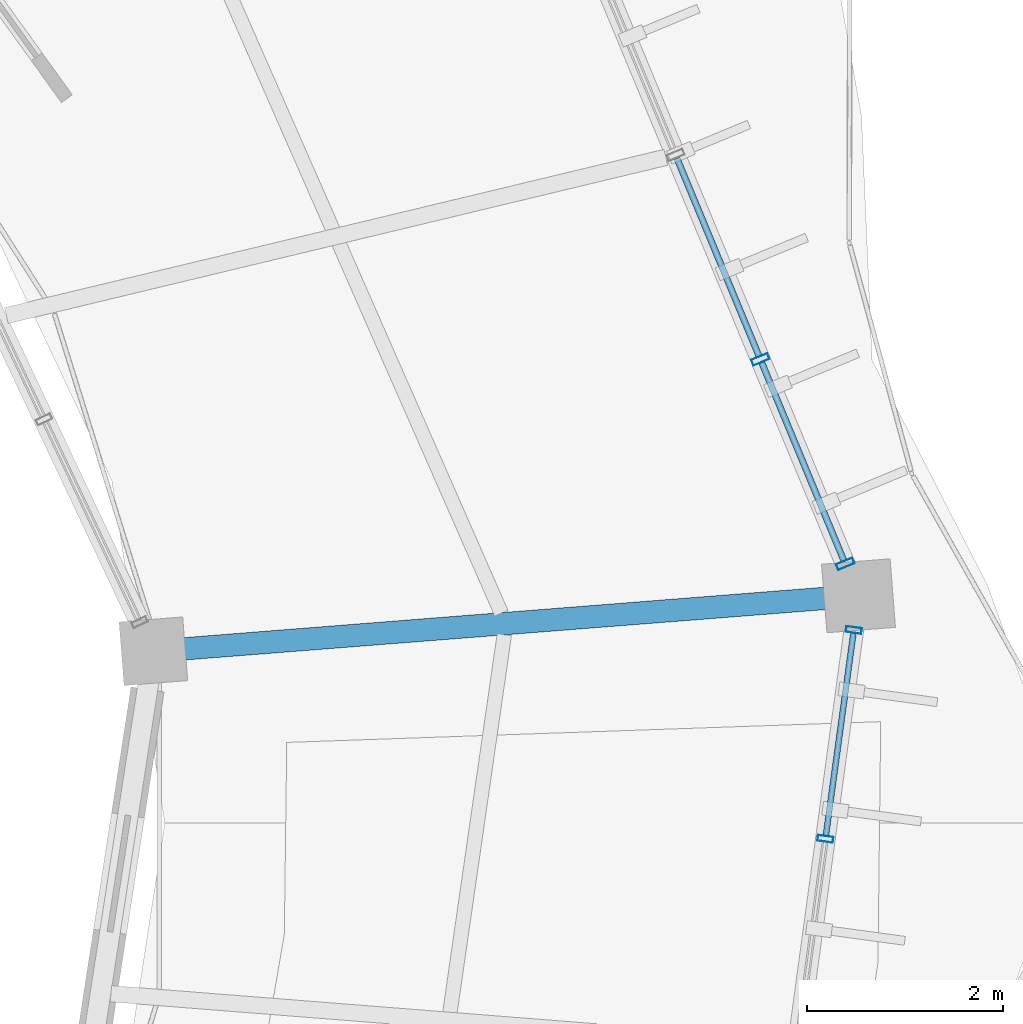
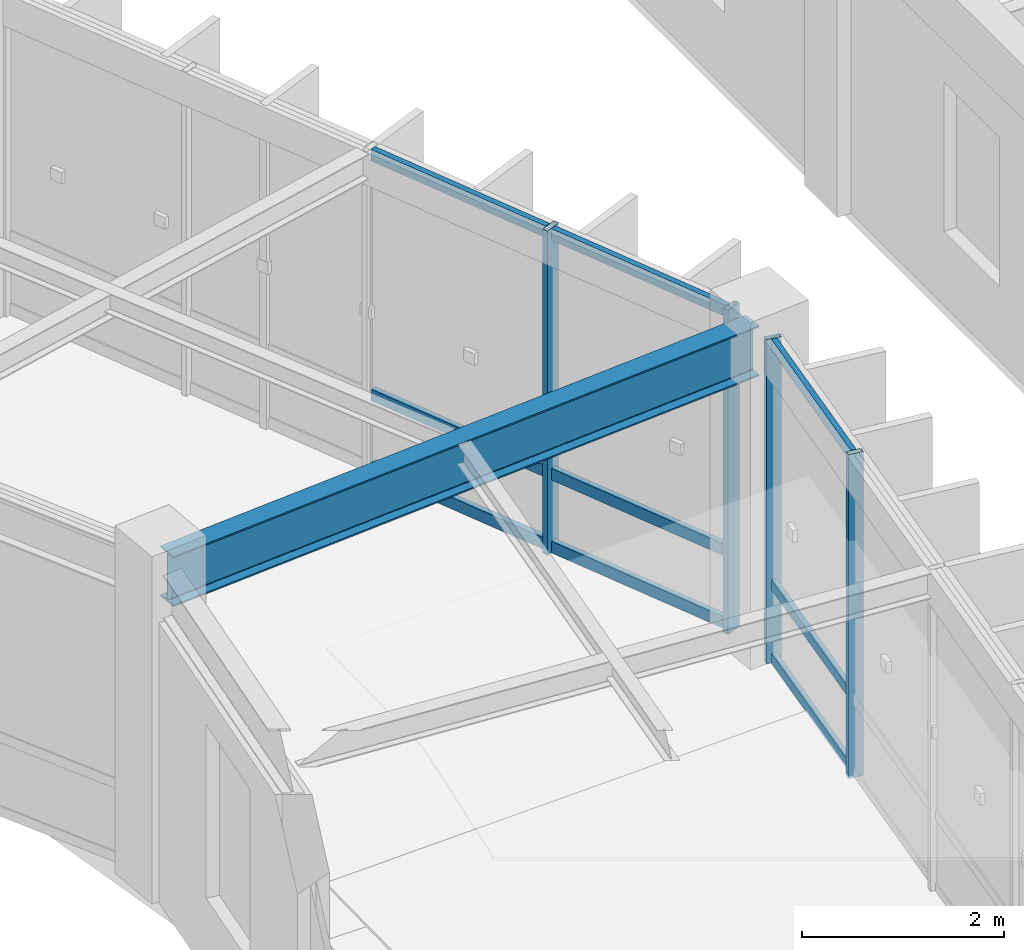
# One storey, part 91 of 138: 13 members, 1 beam, 2 elements without a shape of their own.
"""IFC4 building model written with IfcOpenShell, lengths in metres."""

from ifc_helpers import new_model, si_unit, direction, frame, origin, origin_2d, place, context, subcontext, project, spatial, hollow_rectangle, i_section, extrude, material, material_profile, profile_set, type_object, element, aggregate, save


model = new_model("IFC4")

# Units and contexts
model_context = context("Model", 3, precision=1e-05, world=origin(), true_north=direction((0.0, 1.0)))
body_context = subcontext(model_context, "Body", "Model", "MODEL_VIEW")
ifc_project = project(units=[si_unit("LENGTHUNIT", "METRE"), si_unit("AREAUNIT", "SQUARE_METRE"), si_unit("VOLUMEUNIT", "CUBIC_METRE"), si_unit("PLANEANGLEUNIT", "RADIAN"), si_unit("MASSUNIT", "GRAM", prefix="KILO"), si_unit("THERMODYNAMICTEMPERATUREUNIT", "KELVIN"), si_unit("POWERUNIT", "WATT")], contexts=[model_context])

# Site, building, storey
site_placement = place(None, origin())
site = spatial("IfcSite", under=ifc_project, at=site_placement, CompositionType="ELEMENT")
building_placement = place(site_placement, origin())
building = spatial("IfcBuilding", under=site, at=building_placement, Name="Darbajah Civic Hall", CompositionType="ELEMENT")
storey_placement = place(building_placement, frame((0.0, 0.0, 9.60009765625)))
storey = spatial("IfcBuildingStorey", under=building, at=storey_placement, Name="L02", CompositionType="ELEMENT", Elevation=9.60009765625)

# Curtain wall, members
ifc_material_1 = material(Name="Anodised Bronze Aluminium and Low-E Glazing", Category="aluminium")
curtain_wall_type_1 = type_object("IfcCurtainWallType", Name="Unitised Curtain Wall CW-53 8600x3900", PredefinedType="USERDEFINED", material=ifc_material_1)
curtain_wall_1_placement = place(storey_placement, origin())
curtain_wall_1 = element("IfcCurtainWall", 1, at=curtain_wall_1_placement, inside=storey, type_object=curtain_wall_type_1, Name="L02 unitised curtain wall CW-V1O-L02-19", ObjectType="UNITISED CURTAIN WALL", PredefinedType="USERDEFINED")
ifc_material_2 = material(Name="Anodised Bronze Aluminium", Category="aluminium")
ifc_material_profile_1 = material_profile(ifc_material_2, hollow_rectangle(XDim=0.06005859375, YDim=0.159912109375, WallThickness=0.00341796875, at=origin_2d()), Name="ALU MULLION 60x160")
ifc_profile_set_1 = profile_set([ifc_material_profile_1], Name="Anodised Bronze Aluminium")
member_type_1 = type_object("IfcMemberType", Name="ALU MULLION 60x160", PredefinedType="MULLION", material=ifc_profile_set_1)
member_1_placement = place(storey_placement, frame((139.606201171875, 89.639892578125, 0.0), z_axis=(0.0, 0.0, 1.0), x_axis=(0.134850930274, 0.990865897387, 0.0)))
member_1 = element("IfcMember", 2, at=member_1_placement, type_object=member_type_1, Name="CW-V1O-L02-19 mullion 4", PredefinedType="MULLION", context=body_context, shape_type="SweptSolid", body=[
    extrude(hollow_rectangle(XDim=0.06005859375, YDim=0.159912109375, WallThickness=0.00341796875, at=origin_2d()), origin(), (0.0, 0.0, 1.0), 3.919921875),
])
member_2_placement = place(storey_placement, frame((139.895263671875, 91.765625, 0.0), z_axis=(0.0, 0.0, 1.0), x_axis=(0.134850930274, 0.990865897387, 0.0)))
member_2 = element("IfcMember", 3, at=member_2_placement, type_object=member_type_1, Name="CW-V1O-L02-19 mullion 5", PredefinedType="MULLION", context=body_context, shape_type="SweptSolid", body=[
    extrude(hollow_rectangle(XDim=0.06005859375, YDim=0.159912109375, WallThickness=0.00341796875, at=origin_2d()), origin(), (0.0, 0.0, 1.0), 3.919921875),
])

curtain_wall_type_2 = type_object("IfcCurtainWallType", Name="Unitised Curtain Wall CW-37 9000x3900", PredefinedType="USERDEFINED", material=ifc_material_1)
curtain_wall_2_placement = place(storey_placement, origin())
curtain_wall_2 = element("IfcCurtainWall", 4, at=curtain_wall_2_placement, inside=storey, type_object=curtain_wall_type_2, Name="L02 unitised curtain wall CW-V1O-L02-00", ObjectType="UNITISED CURTAIN WALL", PredefinedType="USERDEFINED")
ifc_material_profile_2 = material_profile(ifc_material_2, hollow_rectangle(XDim=0.06494140625, YDim=0.179931640625, WallThickness=0.00390625, at=origin_2d()), Name="ALU MULLION 65x180")
ifc_profile_set_2 = profile_set([ifc_material_profile_2], Name="Anodised Bronze Aluminium")
member_type_2 = type_object("IfcMemberType", Name="ALU MULLION 65x180", PredefinedType="MULLION", material=ifc_profile_set_2)
member_3_placement = place(storey_placement, frame((139.807861328125, 92.439697265625, 0.0), z_axis=(0.0, 0.0, 1.0), x_axis=(-0.383328328644, 0.923612143954, 0.0)))
member_3 = element("IfcMember", 5, at=member_3_placement, type_object=member_type_2, Name="CW-V1O-L02-00 mullion 1", PredefinedType="MULLION", context=body_context, shape_type="SweptSolid", body=[
    extrude(hollow_rectangle(XDim=0.06494140625, YDim=0.179931640625, WallThickness=0.00390625, at=origin_2d()), origin(), (0.0, 0.0, 1.0), 3.919921875),
])
member_4_placement = place(storey_placement, frame((138.944091796875, 94.520751953125, 0.0), z_axis=(0.0, 0.0, 1.0), x_axis=(-0.383328328644, 0.923612143954, 0.0)))
member_4 = element("IfcMember", 6, at=member_4_placement, type_object=member_type_2, Name="CW-V1O-L02-00 mullion 2", PredefinedType="MULLION", context=body_context, shape_type="SweptSolid", body=[
    extrude(hollow_rectangle(XDim=0.06494140625, YDim=0.179931640625, WallThickness=0.00390625, at=origin_2d()), origin(), (0.0, 0.0, 1.0), 3.919921875),
])

# Member
ifc_material_profile_3 = material_profile(ifc_material_2, hollow_rectangle(XDim=0.06005859375, YDim=0.1201171875, WallThickness=0.003173828125, at=origin_2d()), Name="ALU TRANSOM 60x120")
ifc_profile_set_3 = profile_set([ifc_material_profile_3], Name="Anodised Bronze Aluminium")
member_type_3 = type_object("IfcMemberType", Name="ALU TRANSOM 60x120", PredefinedType="USERDEFINED", material=ifc_profile_set_3)
member_5_placement = place(storey_placement, frame((139.61083984375, 89.674560546875, 0.059814453125), z_axis=(0.134813971487, 0.990870926555, 0.0), x_axis=(-0.990870926555, 0.134813971487, 0.0)))
member_5 = element("IfcMember", 7, at=member_5_placement, type_object=member_type_3, Name="CW-V1O-L02-19 transom 4.1", ObjectType="TRANSOM", PredefinedType="USERDEFINED", context=body_context, shape_type="SweptSolid", body=[
    extrude(hollow_rectangle(XDim=0.06005859375, YDim=0.1201171875, WallThickness=0.003173828125, at=origin_2d()), origin(), (0.0, 0.0, 1.0), 2.075439453125),
])

member_6_placement = place(storey_placement, frame((139.61083984375, 89.674560546875, 0.949951171875), z_axis=(0.134813971487, 0.990870926555, 0.0), x_axis=(-0.990870926555, 0.134813971487, 0.0)))
member_6 = element("IfcMember", 8, at=member_6_placement, type_object=member_type_3, Name="CW-V1O-L02-19 transom 4.2", ObjectType="TRANSOM", PredefinedType="USERDEFINED", context=body_context, shape_type="SweptSolid", body=[
    extrude(hollow_rectangle(XDim=0.06005859375, YDim=0.1201171875, WallThickness=0.003173828125, at=origin_2d()), origin(), (0.0, 0.0, 1.0), 2.075439453125),
])

member_7_placement = place(storey_placement, frame((139.61083984375, 89.674560546875, 3.85986328125), z_axis=(0.134813971487, 0.990870926555, 0.0), x_axis=(-0.990870926555, 0.134813971487, 0.0)))
member_7 = element("IfcMember", 9, at=member_7_placement, type_object=member_type_3, Name="CW-V1O-L02-19 transom 4.3", ObjectType="TRANSOM", PredefinedType="USERDEFINED", context=body_context, shape_type="SweptSolid", body=[
    extrude(hollow_rectangle(XDim=0.06005859375, YDim=0.1201171875, WallThickness=0.003173828125, at=origin_2d()), origin(), (0.0, 0.0, 1.0), 2.075439453125),
])

aggregate(curtain_wall_1, [member_1, member_2, member_5, member_6, member_7])

ifc_material_profile_4 = material_profile(ifc_material_2, hollow_rectangle(XDim=0.06494140625, YDim=0.139892578125, WallThickness=0.00341796875, at=origin_2d()), Name="ALU TRANSOM 65x140")
ifc_profile_set_4 = profile_set([ifc_material_profile_4], Name="Anodised Bronze Aluminium")
member_type_4 = type_object("IfcMemberType", Name="ALU TRANSOM 65x140", PredefinedType="USERDEFINED", material=ifc_profile_set_4)
member_8_placement = place(storey_placement, frame((139.79345703125, 92.47412109375, 0.06982421875), z_axis=(-0.383301908897, 0.923623108544, 0.0), x_axis=(-0.923623108544, -0.383301908897, 0.0)))
member_8 = element("IfcMember", 10, at=member_8_placement, type_object=member_type_4, Name="CW-V1O-L02-00 transom 1.1", ObjectType="TRANSOM", PredefinedType="USERDEFINED", context=body_context, shape_type="SweptSolid", body=[
    extrude(hollow_rectangle(XDim=0.06494140625, YDim=0.139892578125, WallThickness=0.00341796875, at=origin_2d()), origin(), (0.0, 0.0, 1.0), 2.17822265625),
])

member_9_placement = place(storey_placement, frame((139.79345703125, 92.47412109375, 0.949951171875), z_axis=(-0.383301908897, 0.923623108544, 0.0), x_axis=(-0.923623108544, -0.383301908897, 0.0)))
member_9 = element("IfcMember", 11, at=member_9_placement, type_object=member_type_4, Name="CW-V1O-L02-00 transom 1.2", ObjectType="TRANSOM", PredefinedType="USERDEFINED", context=body_context, shape_type="SweptSolid", body=[
    extrude(hollow_rectangle(XDim=0.06494140625, YDim=0.139892578125, WallThickness=0.00341796875, at=origin_2d()), origin(), (0.0, 0.0, 1.0), 2.17822265625),
])

member_10_placement = place(storey_placement, frame((139.79345703125, 92.47412109375, 3.849853515625), z_axis=(-0.383301908897, 0.923623108544, 0.0), x_axis=(-0.923623108544, -0.383301908897, 0.0)))
member_10 = element("IfcMember", 12, at=member_10_placement, type_object=member_type_4, Name="CW-V1O-L02-00 transom 1.3", ObjectType="TRANSOM", PredefinedType="USERDEFINED", context=body_context, shape_type="SweptSolid", body=[
    extrude(hollow_rectangle(XDim=0.06494140625, YDim=0.139892578125, WallThickness=0.00341796875, at=origin_2d()), origin(), (0.0, 0.0, 1.0), 2.17822265625),
])

member_11_placement = place(storey_placement, frame((138.9296875, 94.555419921875, 0.06982421875), z_axis=(-0.383341590731, 0.923606639656, 0.0), x_axis=(-0.923606639656, -0.383341590731, 0.0)))
member_11 = element("IfcMember", 13, at=member_11_placement, type_object=member_type_4, Name="CW-V1O-L02-00 transom 2.1", ObjectType="TRANSOM", PredefinedType="USERDEFINED", context=body_context, shape_type="SweptSolid", body=[
    extrude(hollow_rectangle(XDim=0.06494140625, YDim=0.139892578125, WallThickness=0.00341796875, at=origin_2d()), origin(), (0.0, 0.0, 1.0), 2.17822265625),
])

member_12_placement = place(storey_placement, frame((138.9296875, 94.555419921875, 0.949951171875), z_axis=(-0.383341590731, 0.923606639656, 0.0), x_axis=(-0.923606639656, -0.383341590731, 0.0)))
member_12 = element("IfcMember", 14, at=member_12_placement, type_object=member_type_4, Name="CW-V1O-L02-00 transom 2.2", ObjectType="TRANSOM", PredefinedType="USERDEFINED", context=body_context, shape_type="SweptSolid", body=[
    extrude(hollow_rectangle(XDim=0.06494140625, YDim=0.139892578125, WallThickness=0.00341796875, at=origin_2d()), origin(), (0.0, 0.0, 1.0), 2.17822265625),
])

member_13_placement = place(storey_placement, frame((138.9296875, 94.555419921875, 3.849853515625), z_axis=(-0.383341590731, 0.923606639656, 0.0), x_axis=(-0.923606639656, -0.383341590731, 0.0)))
member_13 = element("IfcMember", 15, at=member_13_placement, type_object=member_type_4, Name="CW-V1O-L02-00 transom 2.3", ObjectType="TRANSOM", PredefinedType="USERDEFINED", context=body_context, shape_type="SweptSolid", body=[
    extrude(hollow_rectangle(XDim=0.06494140625, YDim=0.139892578125, WallThickness=0.00341796875, at=origin_2d()), origin(), (0.0, 0.0, 1.0), 2.17822265625),
])

aggregate(curtain_wall_2, [member_3, member_4, member_8, member_9, member_10, member_11, member_12, member_13])

# Beam
ifc_material_3 = material(Name="Steel S355JR", Category="steel")
ifc_material_profile_5 = material_profile(ifc_material_3, i_section(OverallWidth=0.228271484375, OverallDepth=0.607666015625, WebThickness=0.010986328125, FlangeThickness=0.017333984375, FilletRadius=0.0126953125, at=origin_2d()), Name="UB 610x229x113")
ifc_profile_set_5 = profile_set([ifc_material_profile_5], Name="Steel S355JR")
beam_type = type_object("IfcBeamType", Name="UB 610x229x113", PredefinedType="BEAM", material=ifc_profile_set_5)
beam_placement = place(storey_placement, frame((132.8447265625, 91.555908203125, 3.6162109375), z_axis=(0.996918521601, 0.078444000969, 0.0), x_axis=(-0.078444000969, 0.996918521601, 0.0)))
element("IfcBeam", 16, at=beam_placement, inside=storey, type_object=beam_type, Name="L02 beam SB-610", PredefinedType="BEAM", context=body_context, shape_type="SweptSolid", body=[
    extrude(i_section(OverallWidth=0.228271484375, OverallDepth=0.607666015625, WebThickness=0.010986328125, FlangeThickness=0.017333984375, FilletRadius=0.0126953125, at=origin_2d()), origin(), (0.0, 0.0, 1.0), 7.0400390625),
])

save(model, "model.ifc")
